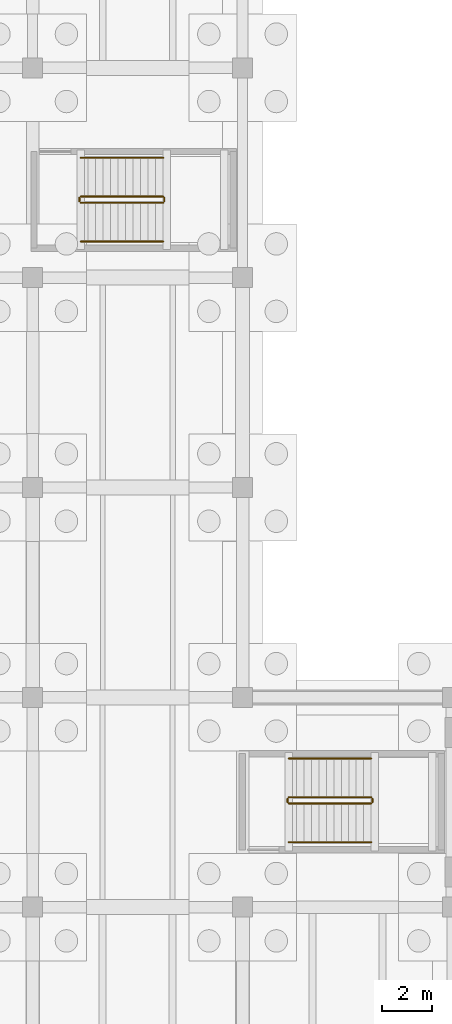
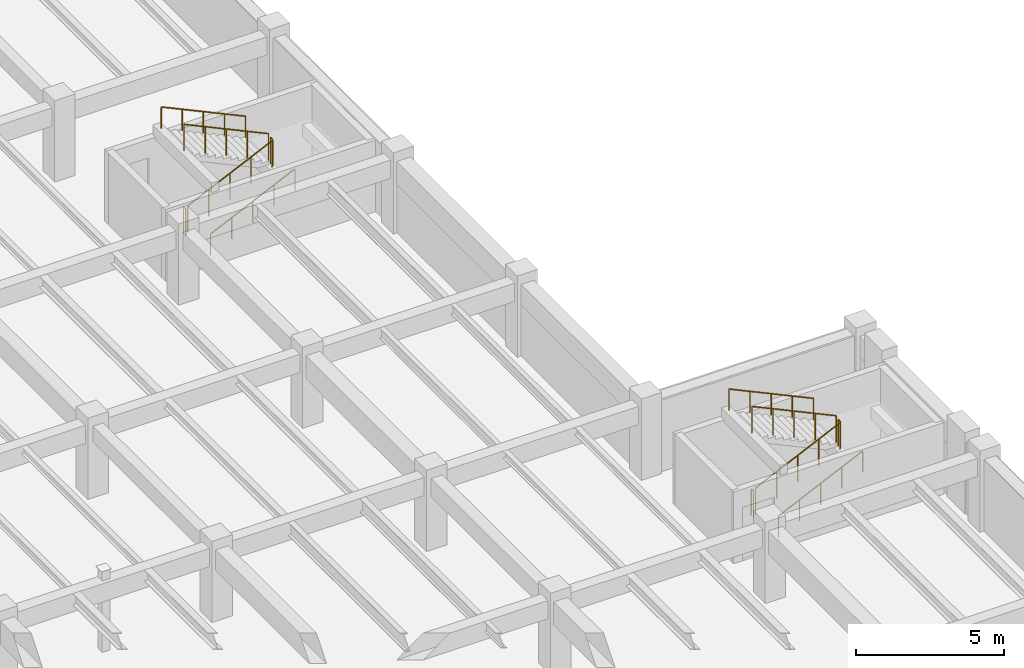
# One storey, part 68 of 70: 12 railings.
"""IFC4 building model written with IfcOpenShell, lengths in metres."""

from ifc_helpers import new_model, si_unit, direction, frame, origin, origin_2d, place, context, subcontext, project, spatial, circle, extrude, material, type_object, element, save


model = new_model("IFC4")

# Units and contexts
model_context = context("Model", 3, precision=1e-05, world=origin(), true_north=direction((0.0, 1.0)))
body_context = subcontext(model_context, "Body", "Model", "MODEL_VIEW")
ifc_project = project(units=[si_unit("LENGTHUNIT", "METRE"), si_unit("AREAUNIT", "SQUARE_METRE"), si_unit("VOLUMEUNIT", "CUBIC_METRE"), si_unit("PLANEANGLEUNIT", "RADIAN"), si_unit("MASSUNIT", "GRAM", prefix="KILO")], contexts=[model_context])

# Site, building, storey
site_placement = place(None, origin())
site = spatial("IfcSite", under=ifc_project, at=site_placement, CompositionType="ELEMENT")
building_placement = place(site_placement, origin())
building = spatial("IfcBuilding", under=site, at=building_placement, Name="Cumbredor Promenade Congress Hotel", CompositionType="ELEMENT")
storey_placement = place(building_placement, frame((0.0, 0.0, -7.56005859375)))
storey = spatial("IfcBuildingStorey", under=building, at=storey_placement, Name="B02", CompositionType="ELEMENT", Elevation=-7.56005859375)

# Railings
ifc_material = material(Name="Brushed stainless steel", Category="steel")
railing_type_1 = type_object("IfcRailingType", Name="Interior Void & Stair Guardrail GR-1100", PredefinedType="GUARDRAIL", material=ifc_material)
railing_1_placement = place(storey_placement, frame((178.25, 62.949951171875, 0.14013671875)))
element("IfcRailing", 1, at=railing_1_placement, inside=storey, type_object=railing_type_1, Name="B02 ST-10 stair guard 1", PredefinedType="GUARDRAIL", context=body_context, shape_type="SweptSolid", body=[
    extrude(circle(Radius=0.02392578125, at=origin_2d()), frame((0.0, 0.0, 1.09619140625), z_axis=(0.906181427284, 0.0, 0.422889135408), x_axis=(0.0, 1.0, 0.0)), (0.0, 0.0, 1.0), 3.6416015625),
    extrude(circle(Radius=0.02099609375, at=origin_2d()), origin(), (0.0, 0.0, 1.0), 1.072021484375),
    extrude(circle(Radius=0.02099609375, at=origin_2d()), frame((0.824951171875, 0.0, 0.385009765625)), (0.0, 0.0, 1.0), 1.072021484375),
    extrude(circle(Radius=0.02099609375, at=origin_2d()), frame((1.64990234375, 0.0, 0.77001953125)), (0.0, 0.0, 1.0), 1.072021484375),
    extrude(circle(Radius=0.02099609375, at=origin_2d()), frame((2.47509765625, 0.0, 1.155029296875)), (0.0, 0.0, 1.0), 1.072021484375),
    extrude(circle(Radius=0.02099609375, at=origin_2d()), frame((3.300048828125, 0.0, 1.5400390625)), (0.0, 0.0, 1.0), 1.072021484375),
])
railing_2_placement = place(storey_placement, frame((181.60009765625, 63.0, 1.68017578125)))
element("IfcRailing", 2, at=railing_2_placement, inside=storey, type_object=railing_type_1, Name="B02 ST-10 stair guard 2", PredefinedType="GUARDRAIL", context=body_context, shape_type="SweptSolid", body=[
    extrude(circle(Radius=0.02392578125, at=origin_2d()), frame((0.0, 0.0, 1.09619140625), z_axis=(0.0, 1.0, 0.0), x_axis=(-1.0, 0.0, 0.0)), (0.0, 0.0, 1.0), 0.14990234375),
    extrude(circle(Radius=0.02099609375, at=origin_2d()), origin(), (0.0, 0.0, 1.0), 1.072021484375),
    extrude(circle(Radius=0.02099609375, at=origin_2d()), frame((0.0, 0.14990234375, 0.0)), (0.0, 0.0, 1.0), 1.072021484375),
])
railing_3_placement = place(storey_placement, frame((181.550048828125, 63.199951171875, 1.820068359375)))
element("IfcRailing", 3, at=railing_3_placement, inside=storey, type_object=railing_type_1, Name="B02 ST-10 stair guard 3", PredefinedType="GUARDRAIL", context=body_context, shape_type="SweptSolid", body=[
    extrude(circle(Radius=0.02392578125, at=origin_2d()), frame((0.0, 0.0, 1.09619140625), z_axis=(-0.906181427284, 0.0, 0.422889135408), x_axis=(0.0, -1.0, 0.0)), (0.0, 0.0, 1.0), 3.6416015625),
    extrude(circle(Radius=0.02099609375, at=origin_2d()), origin(), (0.0, 0.0, 1.0), 1.072021484375),
    extrude(circle(Radius=0.02099609375, at=origin_2d()), frame((-0.824951171875, 0.0, 0.385009765625)), (0.0, 0.0, 1.0), 1.072021484375),
    extrude(circle(Radius=0.02099609375, at=origin_2d()), frame((-1.64990234375, 0.0, 0.77001953125)), (0.0, 0.0, 1.0), 1.072021484375),
    extrude(circle(Radius=0.02099609375, at=origin_2d()), frame((-2.47509765625, 0.0, 1.155029296875)), (0.0, 0.0, 1.0), 1.072021484375),
    extrude(circle(Radius=0.02099609375, at=origin_2d()), frame((-3.300048828125, 0.0, 1.5400390625)), (0.0, 0.0, 1.0), 1.072021484375),
])
railing_4_placement = place(storey_placement, frame((178.199951171875, 63.0, 0.0)))
element("IfcRailing", 4, at=railing_4_placement, inside=storey, type_object=railing_type_1, Name="B02 ST-10 stair guard 4", PredefinedType="GUARDRAIL", context=body_context, shape_type="SweptSolid", body=[
    extrude(circle(Radius=0.02392578125, at=origin_2d()), frame((0.0, 0.0, 1.09619140625), z_axis=(0.0, 1.0, 0.0), x_axis=(-1.0, 0.0, 0.0)), (0.0, 0.0, 1.0), 0.14990234375),
    extrude(circle(Radius=0.02099609375, at=origin_2d()), origin(), (0.0, 0.0, 1.0), 1.072021484375),
    extrude(circle(Radius=0.02099609375, at=origin_2d()), frame((0.0, 0.14990234375, 0.0)), (0.0, 0.0, 1.0), 1.072021484375),
])
railing_5_placement = place(storey_placement, frame((169.919921875, 87.0, 0.14013671875)))
element("IfcRailing", 5, at=railing_5_placement, inside=storey, type_object=railing_type_1, Name="B02 ST-14 stair guard 1", PredefinedType="GUARDRAIL", context=body_context, shape_type="SweptSolid", body=[
    extrude(circle(Radius=0.02392578125, at=origin_2d()), frame((0.0, 0.0, 1.09619140625), z_axis=(0.906181427284, 0.0, 0.422889135408), x_axis=(0.0, 1.0, 0.0)), (0.0, 0.0, 1.0), 3.6416015625),
    extrude(circle(Radius=0.02099609375, at=origin_2d()), origin(), (0.0, 0.0, 1.0), 1.072021484375),
    extrude(circle(Radius=0.02099609375, at=origin_2d()), frame((0.824951171875, 0.0, 0.385009765625)), (0.0, 0.0, 1.0), 1.072021484375),
    extrude(circle(Radius=0.02099609375, at=origin_2d()), frame((1.64990234375, 0.0, 0.77001953125)), (0.0, 0.0, 1.0), 1.072021484375),
    extrude(circle(Radius=0.02099609375, at=origin_2d()), frame((2.47509765625, 0.0, 1.155029296875)), (0.0, 0.0, 1.0), 1.072021484375),
    extrude(circle(Radius=0.02099609375, at=origin_2d()), frame((3.300048828125, 0.0, 1.5400390625)), (0.0, 0.0, 1.0), 1.072021484375),
])
railing_6_placement = place(storey_placement, frame((173.27001953125, 87.050048828125, 1.68017578125)))
element("IfcRailing", 6, at=railing_6_placement, inside=storey, type_object=railing_type_1, Name="B02 ST-14 stair guard 2", PredefinedType="GUARDRAIL", context=body_context, shape_type="SweptSolid", body=[
    extrude(circle(Radius=0.02392578125, at=origin_2d()), frame((0.0, 0.0, 1.09619140625), z_axis=(0.0, 1.0, 0.0), x_axis=(-1.0, 0.0, 0.0)), (0.0, 0.0, 1.0), 0.14990234375),
    extrude(circle(Radius=0.02099609375, at=origin_2d()), origin(), (0.0, 0.0, 1.0), 1.072021484375),
    extrude(circle(Radius=0.02099609375, at=origin_2d()), frame((0.0, 0.14990234375, 0.0)), (0.0, 0.0, 1.0), 1.072021484375),
])
railing_7_placement = place(storey_placement, frame((173.219970703125, 87.25, 1.820068359375)))
element("IfcRailing", 7, at=railing_7_placement, inside=storey, type_object=railing_type_1, Name="B02 ST-14 stair guard 3", PredefinedType="GUARDRAIL", context=body_context, shape_type="SweptSolid", body=[
    extrude(circle(Radius=0.02392578125, at=origin_2d()), frame((0.0, 0.0, 1.09619140625), z_axis=(-0.906181427284, 0.0, 0.422889135408), x_axis=(0.0, -1.0, 0.0)), (0.0, 0.0, 1.0), 3.6416015625),
    extrude(circle(Radius=0.02099609375, at=origin_2d()), origin(), (0.0, 0.0, 1.0), 1.072021484375),
    extrude(circle(Radius=0.02099609375, at=origin_2d()), frame((-0.824951171875, 0.0, 0.385009765625)), (0.0, 0.0, 1.0), 1.072021484375),
    extrude(circle(Radius=0.02099609375, at=origin_2d()), frame((-1.64990234375, 0.0, 0.77001953125)), (0.0, 0.0, 1.0), 1.072021484375),
    extrude(circle(Radius=0.02099609375, at=origin_2d()), frame((-2.47509765625, 0.0, 1.155029296875)), (0.0, 0.0, 1.0), 1.072021484375),
    extrude(circle(Radius=0.02099609375, at=origin_2d()), frame((-3.300048828125, 0.0, 1.5400390625)), (0.0, 0.0, 1.0), 1.072021484375),
])
railing_8_placement = place(storey_placement, frame((169.8701171875, 87.050048828125, 0.0)))
element("IfcRailing", 8, at=railing_8_placement, inside=storey, type_object=railing_type_1, Name="B02 ST-14 stair guard 4", PredefinedType="GUARDRAIL", context=body_context, shape_type="SweptSolid", body=[
    extrude(circle(Radius=0.02392578125, at=origin_2d()), frame((0.0, 0.0, 1.09619140625), z_axis=(0.0, 1.0, 0.0), x_axis=(-1.0, 0.0, 0.0)), (0.0, 0.0, 1.0), 0.14990234375),
    extrude(circle(Radius=0.02099609375, at=origin_2d()), origin(), (0.0, 0.0, 1.0), 1.072021484375),
    extrude(circle(Radius=0.02099609375, at=origin_2d()), frame((0.0, 0.14990234375, 0.0)), (0.0, 0.0, 1.0), 1.072021484375),
])
railing_type_2 = type_object("IfcRailingType", Name="Stair Pitch Handrail HR-900", PredefinedType="HANDRAIL", material=ifc_material)
railing_9_placement = place(storey_placement, frame((178.25, 61.39990234375, 0.14013671875)))
element("IfcRailing", 9, at=railing_9_placement, inside=storey, type_object=railing_type_2, Name="B02 ST-10 stair handrail 1", PredefinedType="HANDRAIL", context=body_context, shape_type="SweptSolid", body=[
    extrude(circle(Radius=0.02392578125, at=origin_2d()), frame((0.0, 0.0, 0.8759765625), z_axis=(0.906181427284, 0.0, 0.422889135408), x_axis=(0.0, 1.0, 0.0)), (0.0, 0.0, 1.0), 3.6416015625),
    extrude(circle(Radius=0.02099609375, at=origin_2d()), origin(), (0.0, 0.0, 1.0), 0.851806640625),
    extrude(circle(Radius=0.02099609375, at=origin_2d()), frame((0.824951171875, 0.0, 0.385009765625)), (0.0, 0.0, 1.0), 0.851806640625),
    extrude(circle(Radius=0.02099609375, at=origin_2d()), frame((1.64990234375, 0.0, 0.77001953125)), (0.0, 0.0, 1.0), 0.851806640625),
    extrude(circle(Radius=0.02099609375, at=origin_2d()), frame((2.47509765625, 0.0, 1.155029296875)), (0.0, 0.0, 1.0), 0.851806640625),
    extrude(circle(Radius=0.02099609375, at=origin_2d()), frame((3.300048828125, 0.0, 1.5400390625)), (0.0, 0.0, 1.0), 0.851806640625),
])
railing_10_placement = place(storey_placement, frame((181.550048828125, 64.75, 1.820068359375)))
element("IfcRailing", 10, at=railing_10_placement, inside=storey, type_object=railing_type_2, Name="B02 ST-10 stair handrail 2", PredefinedType="HANDRAIL", context=body_context, shape_type="SweptSolid", body=[
    extrude(circle(Radius=0.02392578125, at=origin_2d()), frame((0.0, 0.0, 0.8759765625), z_axis=(-0.906181427284, 0.0, 0.422889135408), x_axis=(0.0, -1.0, 0.0)), (0.0, 0.0, 1.0), 3.6416015625),
    extrude(circle(Radius=0.02099609375, at=origin_2d()), origin(), (0.0, 0.0, 1.0), 0.851806640625),
    extrude(circle(Radius=0.02099609375, at=origin_2d()), frame((-0.824951171875, 0.0, 0.385009765625)), (0.0, 0.0, 1.0), 0.851806640625),
    extrude(circle(Radius=0.02099609375, at=origin_2d()), frame((-1.64990234375, 0.0, 0.77001953125)), (0.0, 0.0, 1.0), 0.851806640625),
    extrude(circle(Radius=0.02099609375, at=origin_2d()), frame((-2.47509765625, 0.0, 1.155029296875)), (0.0, 0.0, 1.0), 0.851806640625),
    extrude(circle(Radius=0.02099609375, at=origin_2d()), frame((-3.300048828125, 0.0, 1.5400390625)), (0.0, 0.0, 1.0), 0.851806640625),
])
railing_11_placement = place(storey_placement, frame((169.919921875, 85.449951171875, 0.14013671875)))
element("IfcRailing", 11, at=railing_11_placement, inside=storey, type_object=railing_type_2, Name="B02 ST-14 stair handrail 1", PredefinedType="HANDRAIL", context=body_context, shape_type="SweptSolid", body=[
    extrude(circle(Radius=0.02392578125, at=origin_2d()), frame((0.0, 0.0, 0.8759765625), z_axis=(0.906181427284, 0.0, 0.422889135408), x_axis=(0.0, 1.0, 0.0)), (0.0, 0.0, 1.0), 3.6416015625),
    extrude(circle(Radius=0.02099609375, at=origin_2d()), origin(), (0.0, 0.0, 1.0), 0.851806640625),
    extrude(circle(Radius=0.02099609375, at=origin_2d()), frame((0.824951171875, 0.0, 0.385009765625)), (0.0, 0.0, 1.0), 0.851806640625),
    extrude(circle(Radius=0.02099609375, at=origin_2d()), frame((1.64990234375, 0.0, 0.77001953125)), (0.0, 0.0, 1.0), 0.851806640625),
    extrude(circle(Radius=0.02099609375, at=origin_2d()), frame((2.47509765625, 0.0, 1.155029296875)), (0.0, 0.0, 1.0), 0.851806640625),
    extrude(circle(Radius=0.02099609375, at=origin_2d()), frame((3.300048828125, 0.0, 1.5400390625)), (0.0, 0.0, 1.0), 0.851806640625),
])
railing_12_placement = place(storey_placement, frame((173.219970703125, 88.800048828125, 1.820068359375)))
element("IfcRailing", 12, at=railing_12_placement, inside=storey, type_object=railing_type_2, Name="B02 ST-14 stair handrail 2", PredefinedType="HANDRAIL", context=body_context, shape_type="SweptSolid", body=[
    extrude(circle(Radius=0.02392578125, at=origin_2d()), frame((0.0, 0.0, 0.8759765625), z_axis=(-0.906181427284, 0.0, 0.422889135408), x_axis=(0.0, -1.0, 0.0)), (0.0, 0.0, 1.0), 3.6416015625),
    extrude(circle(Radius=0.02099609375, at=origin_2d()), origin(), (0.0, 0.0, 1.0), 0.851806640625),
    extrude(circle(Radius=0.02099609375, at=origin_2d()), frame((-0.824951171875, 0.0, 0.385009765625)), (0.0, 0.0, 1.0), 0.851806640625),
    extrude(circle(Radius=0.02099609375, at=origin_2d()), frame((-1.64990234375, 0.0, 0.77001953125)), (0.0, 0.0, 1.0), 0.851806640625),
    extrude(circle(Radius=0.02099609375, at=origin_2d()), frame((-2.47509765625, 0.0, 1.155029296875)), (0.0, 0.0, 1.0), 0.851806640625),
    extrude(circle(Radius=0.02099609375, at=origin_2d()), frame((-3.300048828125, 0.0, 1.5400390625)), (0.0, 0.0, 1.0), 0.851806640625),
])

save(model, "model.ifc")
